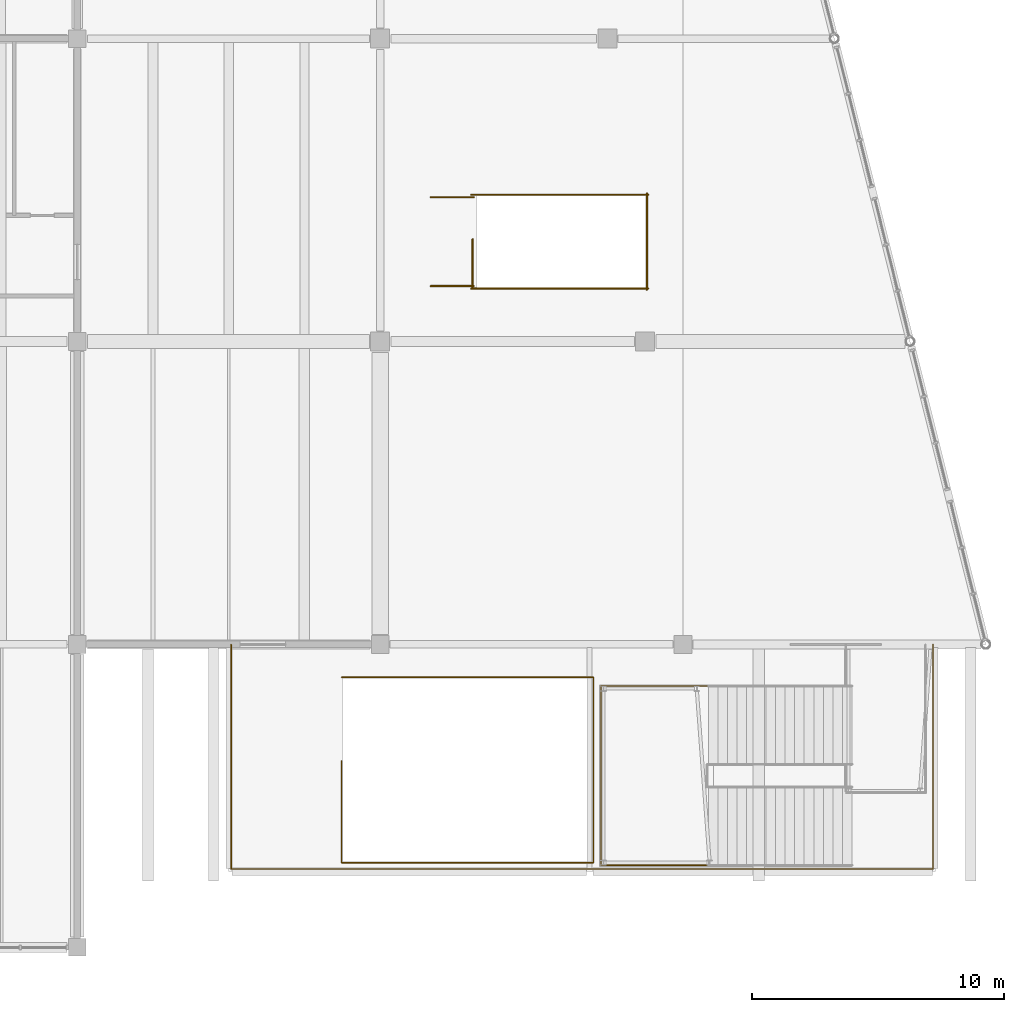
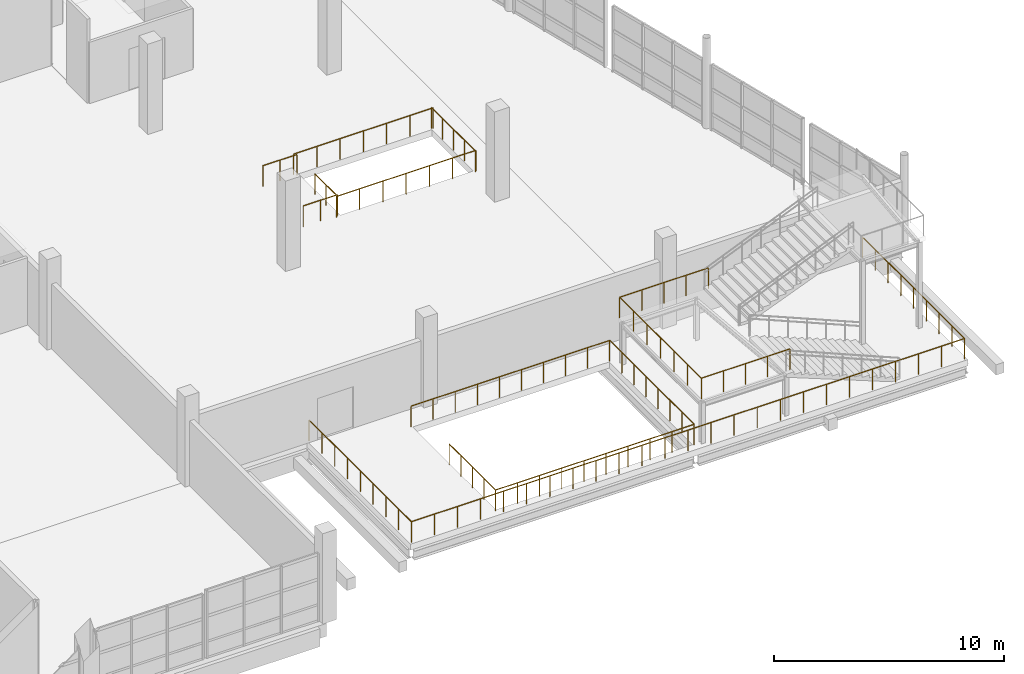
# One storey, part 102 of 112: 9 railings.
"""IFC4 building model written with IfcOpenShell, lengths in metres."""

from ifc_helpers import new_model, si_unit, direction, frame, origin, origin_2d, place, context, subcontext, project, spatial, circle, extrude, material, type_object, element, save


model = new_model("IFC4")

# Units and contexts
model_context = context("Model", 3, precision=1e-05, world=origin(), true_north=direction((0.0, 1.0)))
body_context = subcontext(model_context, "Body", "Model", "MODEL_VIEW")
ifc_project = project(units=[si_unit("LENGTHUNIT", "METRE"), si_unit("AREAUNIT", "SQUARE_METRE"), si_unit("VOLUMEUNIT", "CUBIC_METRE"), si_unit("PLANEANGLEUNIT", "RADIAN"), si_unit("MASSUNIT", "GRAM", prefix="KILO")], contexts=[model_context])

# Site, building, storey
site_placement = place(None, origin())
site = spatial("IfcSite", under=ifc_project, at=site_placement, CompositionType="ELEMENT")
building_placement = place(site_placement, origin())
building = spatial("IfcBuilding", under=site, at=building_placement, Name="Kamomehara Wholesale Market", CompositionType="ELEMENT")
storey_placement = place(building_placement, frame((0.0, 0.0, 6.60009765625)))
storey = spatial("IfcBuildingStorey", under=building, at=storey_placement, Name="L01", CompositionType="ELEMENT", Elevation=6.60009765625)

# Railings
ifc_material_1 = material(Name="Steel SN400B", Category="steel")
railing_type_1 = type_object("IfcRailingType", Name="RAL-EXT-1100", PredefinedType="BALUSTRADE", material=ifc_material_1)
railing_1_placement = place(storey_placement, frame((174.10009765625, 24.0, 0.0)))
element("IfcRailing", 1, at=railing_1_placement, inside=storey, type_object=railing_type_1, Name="Terrace guard OSLB-L01-STAIR-TER 3", PredefinedType="BALUSTRADE", context=body_context, shape_type="SweptSolid", body=[
    extrude(circle(Radius=0.02392578125, at=origin_2d()), frame((0.0, 0.0, 1.09619140625), z_axis=(0.0, -1.0, 0.0), x_axis=(1.0, 0.0, 0.0)), (0.0, 0.0, 1.0), 8.89990234375),
    extrude(circle(Radius=0.02392578125, at=origin_2d()), frame((0.0, -8.89990234375, 1.09619140625), z_axis=(1.0, 0.0, 0.0), x_axis=(0.0, 1.0, 0.0)), (0.0, 0.0, 1.0), 27.7998046875),
    extrude(circle(Radius=0.02392578125, at=origin_2d()), frame((27.7998046875, -8.89990234375, 1.09619140625), z_axis=(0.0, 1.0, 0.0), x_axis=(-1.0, 0.0, 0.0)), (0.0, 0.0, 1.0), 8.89990234375),
    extrude(circle(Radius=0.02099609375, at=origin_2d()), origin(), (0.0, 0.0, 1.0), 1.072021484375),
    extrude(circle(Radius=0.02099609375, at=origin_2d()), frame((0.0, -1.112548828125, 0.0)), (0.0, 0.0, 1.0), 1.072021484375),
    extrude(circle(Radius=0.02099609375, at=origin_2d()), frame((0.0, -2.22509765625, 0.0)), (0.0, 0.0, 1.0), 1.072021484375),
    extrude(circle(Radius=0.02099609375, at=origin_2d()), frame((0.0, -3.33740234375, 0.0)), (0.0, 0.0, 1.0), 1.072021484375),
    extrude(circle(Radius=0.02099609375, at=origin_2d()), frame((0.0, -4.449951171875, 0.0)), (0.0, 0.0, 1.0), 1.072021484375),
    extrude(circle(Radius=0.02099609375, at=origin_2d()), frame((0.0, -5.5625, 0.0)), (0.0, 0.0, 1.0), 1.072021484375),
    extrude(circle(Radius=0.02099609375, at=origin_2d()), frame((0.0, -6.6748046875, 0.0)), (0.0, 0.0, 1.0), 1.072021484375),
    extrude(circle(Radius=0.02099609375, at=origin_2d()), frame((0.0, -7.787353515625, 0.0)), (0.0, 0.0, 1.0), 1.072021484375),
    extrude(circle(Radius=0.02099609375, at=origin_2d()), frame((0.0, -8.89990234375, 0.0)), (0.0, 0.0, 1.0), 1.072021484375),
    extrude(circle(Radius=0.02099609375, at=origin_2d()), frame((1.158203125, -8.89990234375, 0.0)), (0.0, 0.0, 1.0), 1.072021484375),
    extrude(circle(Radius=0.02099609375, at=origin_2d()), frame((2.316650390625, -8.89990234375, 0.0)), (0.0, 0.0, 1.0), 1.072021484375),
    extrude(circle(Radius=0.02099609375, at=origin_2d()), frame((3.47509765625, -8.89990234375, 0.0)), (0.0, 0.0, 1.0), 1.072021484375),
    extrude(circle(Radius=0.02099609375, at=origin_2d()), frame((4.63330078125, -8.89990234375, 0.0)), (0.0, 0.0, 1.0), 1.072021484375),
    extrude(circle(Radius=0.02099609375, at=origin_2d()), frame((5.79150390625, -8.89990234375, 0.0)), (0.0, 0.0, 1.0), 1.072021484375),
    extrude(circle(Radius=0.02099609375, at=origin_2d()), frame((6.949951171875, -8.89990234375, 0.0)), (0.0, 0.0, 1.0), 1.072021484375),
    extrude(circle(Radius=0.02099609375, at=origin_2d()), frame((8.1083984375, -8.89990234375, 0.0)), (0.0, 0.0, 1.0), 1.072021484375),
    extrude(circle(Radius=0.02099609375, at=origin_2d()), frame((9.2666015625, -8.89990234375, 0.0)), (0.0, 0.0, 1.0), 1.072021484375),
    extrude(circle(Radius=0.02099609375, at=origin_2d()), frame((10.4248046875, -8.89990234375, 0.0)), (0.0, 0.0, 1.0), 1.072021484375),
    extrude(circle(Radius=0.02099609375, at=origin_2d()), frame((11.583251953125, -8.89990234375, 0.0)), (0.0, 0.0, 1.0), 1.072021484375),
    extrude(circle(Radius=0.02099609375, at=origin_2d()), frame((12.74169921875, -8.89990234375, 0.0)), (0.0, 0.0, 1.0), 1.072021484375),
    extrude(circle(Radius=0.02099609375, at=origin_2d()), frame((13.89990234375, -8.89990234375, 0.0)), (0.0, 0.0, 1.0), 1.072021484375),
    extrude(circle(Radius=0.02099609375, at=origin_2d()), frame((15.05810546875, -8.89990234375, 0.0)), (0.0, 0.0, 1.0), 1.072021484375),
    extrude(circle(Radius=0.02099609375, at=origin_2d()), frame((16.216552734375, -8.89990234375, 0.0)), (0.0, 0.0, 1.0), 1.072021484375),
    extrude(circle(Radius=0.02099609375, at=origin_2d()), frame((17.375, -8.89990234375, 0.0)), (0.0, 0.0, 1.0), 1.072021484375),
    extrude(circle(Radius=0.02099609375, at=origin_2d()), frame((18.533203125, -8.89990234375, 0.0)), (0.0, 0.0, 1.0), 1.072021484375),
    extrude(circle(Radius=0.02099609375, at=origin_2d()), frame((19.69140625, -8.89990234375, 0.0)), (0.0, 0.0, 1.0), 1.072021484375),
    extrude(circle(Radius=0.02099609375, at=origin_2d()), frame((20.849853515625, -8.89990234375, 0.0)), (0.0, 0.0, 1.0), 1.072021484375),
    extrude(circle(Radius=0.02099609375, at=origin_2d()), frame((22.00830078125, -8.89990234375, 0.0)), (0.0, 0.0, 1.0), 1.072021484375),
    extrude(circle(Radius=0.02099609375, at=origin_2d()), frame((23.16650390625, -8.89990234375, 0.0)), (0.0, 0.0, 1.0), 1.072021484375),
    extrude(circle(Radius=0.02099609375, at=origin_2d()), frame((24.32470703125, -8.89990234375, 0.0)), (0.0, 0.0, 1.0), 1.072021484375),
    extrude(circle(Radius=0.02099609375, at=origin_2d()), frame((25.483154296875, -8.89990234375, 0.0)), (0.0, 0.0, 1.0), 1.072021484375),
    extrude(circle(Radius=0.02099609375, at=origin_2d()), frame((26.6416015625, -8.89990234375, 0.0)), (0.0, 0.0, 1.0), 1.072021484375),
    extrude(circle(Radius=0.02099609375, at=origin_2d()), frame((27.7998046875, -8.89990234375, 0.0)), (0.0, 0.0, 1.0), 1.072021484375),
    extrude(circle(Radius=0.02099609375, at=origin_2d()), frame((27.7998046875, -7.787353515625, 0.0)), (0.0, 0.0, 1.0), 1.072021484375),
    extrude(circle(Radius=0.02099609375, at=origin_2d()), frame((27.7998046875, -6.6748046875, 0.0)), (0.0, 0.0, 1.0), 1.072021484375),
    extrude(circle(Radius=0.02099609375, at=origin_2d()), frame((27.7998046875, -5.5625, 0.0)), (0.0, 0.0, 1.0), 1.072021484375),
    extrude(circle(Radius=0.02099609375, at=origin_2d()), frame((27.7998046875, -4.449951171875, 0.0)), (0.0, 0.0, 1.0), 1.072021484375),
    extrude(circle(Radius=0.02099609375, at=origin_2d()), frame((27.7998046875, -3.33740234375, 0.0)), (0.0, 0.0, 1.0), 1.072021484375),
    extrude(circle(Radius=0.02099609375, at=origin_2d()), frame((27.7998046875, -2.22509765625, 0.0)), (0.0, 0.0, 1.0), 1.072021484375),
    extrude(circle(Radius=0.02099609375, at=origin_2d()), frame((27.7998046875, -1.112548828125, 0.0)), (0.0, 0.0, 1.0), 1.072021484375),
    extrude(circle(Radius=0.02099609375, at=origin_2d()), frame((27.7998046875, 0.0, 0.0)), (0.0, 0.0, 1.0), 1.072021484375),
])
railing_2_placement = place(storey_placement, frame((178.469970703125, 19.3798828125, 0.0)))
element("IfcRailing", 2, at=railing_2_placement, inside=storey, type_object=railing_type_1, Name="Terrace guard OSLB-L01-STAIR-TER 4", PredefinedType="BALUSTRADE", context=body_context, shape_type="SweptSolid", body=[
    extrude(circle(Radius=0.02392578125, at=origin_2d()), frame((0.0, 0.0, 1.09619140625), z_axis=(0.0, -1.0, 0.0), x_axis=(1.0, 0.0, 0.0)), (0.0, 0.0, 1.0), 4.02978515625),
    extrude(circle(Radius=0.02392578125, at=origin_2d()), frame((0.0, -4.02978515625, 1.09619140625), z_axis=(1.0, 0.0, 0.0), x_axis=(0.0, 1.0, 0.0)), (0.0, 0.0, 1.0), 9.97998046875),
    extrude(circle(Radius=0.02392578125, at=origin_2d()), frame((9.97998046875, -4.02978515625, 1.09619140625), z_axis=(0.0, 1.0, 0.0), x_axis=(-1.0, 0.0, 0.0)), (0.0, 0.0, 1.0), 7.349853515625),
    extrude(circle(Radius=0.02392578125, at=origin_2d()), frame((9.97998046875, 3.320068359375, 1.09619140625), z_axis=(-1.0, 0.0, 0.0), x_axis=(0.0, -1.0, 0.0)), (0.0, 0.0, 1.0), 9.97998046875),
    extrude(circle(Radius=0.02099609375, at=origin_2d()), origin(), (0.0, 0.0, 1.0), 1.072021484375),
    extrude(circle(Radius=0.02099609375, at=origin_2d()), frame((0.0, -1.00732421875, 0.0)), (0.0, 0.0, 1.0), 1.072021484375),
    extrude(circle(Radius=0.02099609375, at=origin_2d()), frame((0.0, -2.014892578125, 0.0)), (0.0, 0.0, 1.0), 1.072021484375),
    extrude(circle(Radius=0.02099609375, at=origin_2d()), frame((0.0, -3.0224609375, 0.0)), (0.0, 0.0, 1.0), 1.072021484375),
    extrude(circle(Radius=0.02099609375, at=origin_2d()), frame((0.0, -4.02978515625, 0.0)), (0.0, 0.0, 1.0), 1.072021484375),
    extrude(circle(Radius=0.02099609375, at=origin_2d()), frame((1.10888671875, -4.02978515625, 0.0)), (0.0, 0.0, 1.0), 1.072021484375),
    extrude(circle(Radius=0.02099609375, at=origin_2d()), frame((2.2177734375, -4.02978515625, 0.0)), (0.0, 0.0, 1.0), 1.072021484375),
    extrude(circle(Radius=0.02099609375, at=origin_2d()), frame((3.32666015625, -4.02978515625, 0.0)), (0.0, 0.0, 1.0), 1.072021484375),
    extrude(circle(Radius=0.02099609375, at=origin_2d()), frame((4.435546875, -4.02978515625, 0.0)), (0.0, 0.0, 1.0), 1.072021484375),
    extrude(circle(Radius=0.02099609375, at=origin_2d()), frame((5.54443359375, -4.02978515625, 0.0)), (0.0, 0.0, 1.0), 1.072021484375),
    extrude(circle(Radius=0.02099609375, at=origin_2d()), frame((6.6533203125, -4.02978515625, 0.0)), (0.0, 0.0, 1.0), 1.072021484375),
    extrude(circle(Radius=0.02099609375, at=origin_2d()), frame((7.76220703125, -4.02978515625, 0.0)), (0.0, 0.0, 1.0), 1.072021484375),
    extrude(circle(Radius=0.02099609375, at=origin_2d()), frame((8.87109375, -4.02978515625, 0.0)), (0.0, 0.0, 1.0), 1.072021484375),
    extrude(circle(Radius=0.02099609375, at=origin_2d()), frame((9.97998046875, -4.02978515625, 0.0)), (0.0, 0.0, 1.0), 1.072021484375),
    extrude(circle(Radius=0.02099609375, at=origin_2d()), frame((9.97998046875, -2.979736328125, 0.0)), (0.0, 0.0, 1.0), 1.072021484375),
    extrude(circle(Radius=0.02099609375, at=origin_2d()), frame((9.97998046875, -1.929931640625, 0.0)), (0.0, 0.0, 1.0), 1.072021484375),
    extrude(circle(Radius=0.02099609375, at=origin_2d()), frame((9.97998046875, -0.8798828125, 0.0)), (0.0, 0.0, 1.0), 1.072021484375),
    extrude(circle(Radius=0.02099609375, at=origin_2d()), frame((9.97998046875, 0.170166015625, 0.0)), (0.0, 0.0, 1.0), 1.072021484375),
    extrude(circle(Radius=0.02099609375, at=origin_2d()), frame((9.97998046875, 1.22021484375, 0.0)), (0.0, 0.0, 1.0), 1.072021484375),
    extrude(circle(Radius=0.02099609375, at=origin_2d()), frame((9.97998046875, 2.27001953125, 0.0)), (0.0, 0.0, 1.0), 1.072021484375),
    extrude(circle(Radius=0.02099609375, at=origin_2d()), frame((9.97998046875, 3.320068359375, 0.0)), (0.0, 0.0, 1.0), 1.072021484375),
    extrude(circle(Radius=0.02099609375, at=origin_2d()), frame((8.87109375, 3.320068359375, 0.0)), (0.0, 0.0, 1.0), 1.072021484375),
    extrude(circle(Radius=0.02099609375, at=origin_2d()), frame((7.76220703125, 3.320068359375, 0.0)), (0.0, 0.0, 1.0), 1.072021484375),
    extrude(circle(Radius=0.02099609375, at=origin_2d()), frame((6.6533203125, 3.320068359375, 0.0)), (0.0, 0.0, 1.0), 1.072021484375),
    extrude(circle(Radius=0.02099609375, at=origin_2d()), frame((5.54443359375, 3.320068359375, 0.0)), (0.0, 0.0, 1.0), 1.072021484375),
    extrude(circle(Radius=0.02099609375, at=origin_2d()), frame((4.435546875, 3.320068359375, 0.0)), (0.0, 0.0, 1.0), 1.072021484375),
    extrude(circle(Radius=0.02099609375, at=origin_2d()), frame((3.32666015625, 3.320068359375, 0.0)), (0.0, 0.0, 1.0), 1.072021484375),
    extrude(circle(Radius=0.02099609375, at=origin_2d()), frame((2.2177734375, 3.320068359375, 0.0)), (0.0, 0.0, 1.0), 1.072021484375),
    extrude(circle(Radius=0.02099609375, at=origin_2d()), frame((1.10888671875, 3.320068359375, 0.0)), (0.0, 0.0, 1.0), 1.072021484375),
    extrude(circle(Radius=0.02099609375, at=origin_2d()), frame((0.0, 3.320068359375, 0.0)), (0.0, 0.0, 1.0), 1.072021484375),
])
railing_3_placement = place(storey_placement, frame((193.199951171875, 15.25, 2.39990234375)))
element("IfcRailing", 3, at=railing_3_placement, inside=storey, type_object=railing_type_1, Name="ST-20 half-landing guard", PredefinedType="BALUSTRADE", context=body_context, shape_type="SweptSolid", body=[
    extrude(circle(Radius=0.02392578125, at=origin_2d()), frame((0.0, 0.0, 1.09619140625), z_axis=(-1.0, 0.0, 0.0), x_axis=(0.0, -1.0, 0.0)), (0.0, 0.0, 1.0), 4.449951171875),
    extrude(circle(Radius=0.02392578125, at=origin_2d()), frame((-4.449951171875, 0.0, 1.09619140625), z_axis=(0.0, 1.0, 0.0), x_axis=(-1.0, 0.0, 0.0)), (0.0, 0.0, 1.0), 7.10009765625),
    extrude(circle(Radius=0.02392578125, at=origin_2d()), frame((-4.449951171875, 7.10009765625, 1.09619140625), z_axis=(1.0, 0.0, 0.0), x_axis=(0.0, 1.0, 0.0)), (0.0, 0.0, 1.0), 4.449951171875),
    extrude(circle(Radius=0.02099609375, at=origin_2d()), origin(), (0.0, 0.0, 1.0), 1.072021484375),
    extrude(circle(Radius=0.02099609375, at=origin_2d()), frame((-1.112548828125, 0.0, 0.0)), (0.0, 0.0, 1.0), 1.072021484375),
    extrude(circle(Radius=0.02099609375, at=origin_2d()), frame((-2.22509765625, 0.0, 0.0)), (0.0, 0.0, 1.0), 1.072021484375),
    extrude(circle(Radius=0.02099609375, at=origin_2d()), frame((-3.33740234375, 0.0, 0.0)), (0.0, 0.0, 1.0), 1.072021484375),
    extrude(circle(Radius=0.02099609375, at=origin_2d()), frame((-4.449951171875, 0.0, 0.0)), (0.0, 0.0, 1.0), 1.072021484375),
    extrude(circle(Radius=0.02099609375, at=origin_2d()), frame((-4.449951171875, 1.183349609375, 0.0)), (0.0, 0.0, 1.0), 1.072021484375),
    extrude(circle(Radius=0.02099609375, at=origin_2d()), frame((-4.449951171875, 2.36669921875, 0.0)), (0.0, 0.0, 1.0), 1.072021484375),
    extrude(circle(Radius=0.02099609375, at=origin_2d()), frame((-4.449951171875, 3.550048828125, 0.0)), (0.0, 0.0, 1.0), 1.072021484375),
    extrude(circle(Radius=0.02099609375, at=origin_2d()), frame((-4.449951171875, 4.7333984375, 0.0)), (0.0, 0.0, 1.0), 1.072021484375),
    extrude(circle(Radius=0.02099609375, at=origin_2d()), frame((-4.449951171875, 5.916748046875, 0.0)), (0.0, 0.0, 1.0), 1.072021484375),
    extrude(circle(Radius=0.02099609375, at=origin_2d()), frame((-4.449951171875, 7.10009765625, 0.0)), (0.0, 0.0, 1.0), 1.072021484375),
    extrude(circle(Radius=0.02099609375, at=origin_2d()), frame((-3.33740234375, 7.10009765625, 0.0)), (0.0, 0.0, 1.0), 1.072021484375),
    extrude(circle(Radius=0.02099609375, at=origin_2d()), frame((-2.22509765625, 7.10009765625, 0.0)), (0.0, 0.0, 1.0), 1.072021484375),
    extrude(circle(Radius=0.02099609375, at=origin_2d()), frame((-1.112548828125, 7.10009765625, 0.0)), (0.0, 0.0, 1.0), 1.072021484375),
    extrude(circle(Radius=0.02099609375, at=origin_2d()), frame((0.0, 7.10009765625, 0.0)), (0.0, 0.0, 1.0), 1.072021484375),
])
ifc_material_2 = material(Name="Steel SN400B", Category="steel")
railing_type_2 = type_object("IfcRailingType", Name="RAL-INT-1100", PredefinedType="BALUSTRADE", material=ifc_material_2)
railing_4_placement = place(storey_placement, frame((183.659912109375, 38.14990234375, 0.0)))
element("IfcRailing", 4, at=railing_4_placement, inside=storey, type_object=railing_type_2, Name="L01 ST-18 top well guard 1", PredefinedType="BALUSTRADE", context=body_context, shape_type="SweptSolid", body=[
    extrude(circle(Radius=0.02392578125, at=origin_2d()), frame((0.0, 0.0, 1.09619140625), z_axis=(0.0, 1.0, 0.0), x_axis=(-1.0, 0.0, 0.0)), (0.0, 0.0, 1.0), 1.91015625),
    extrude(circle(Radius=0.02099609375, at=origin_2d()), origin(), (0.0, 0.0, 1.0), 1.072021484375),
    extrude(circle(Radius=0.02099609375, at=origin_2d()), frame((0.0, 0.955078125, 0.0)), (0.0, 0.0, 1.0), 1.072021484375),
    extrude(circle(Radius=0.02099609375, at=origin_2d()), frame((0.0, 1.91015625, 0.0)), (0.0, 0.0, 1.0), 1.072021484375),
])
for number, where, name in (
    (5, (183.610107421875, 38.10009765625, 0.0), "L01 ST-18 top well guard 2"),
    (6, (183.610107421875, 41.820068359375, 0.0), "L01 ST-18 top well guard 3"),
):
    element("IfcRailing", number, at=place(storey_placement, frame(where)), inside=storey, type_object=railing_type_2, Name=name, PredefinedType="BALUSTRADE", context=body_context, shape_type="SweptSolid", body=[
        extrude(circle(Radius=0.02392578125, at=origin_2d()), frame((0.0, 0.0, 1.09619140625), z_axis=(1.0, 0.0, 0.0), x_axis=(0.0, 1.0, 0.0)), (0.0, 0.0, 1.0), 7.010009765625),
        extrude(circle(Radius=0.02099609375, at=origin_2d()), origin(), (0.0, 0.0, 1.0), 1.072021484375),
        extrude(circle(Radius=0.02099609375, at=origin_2d()), frame((1.16845703125, 0.0, 0.0)), (0.0, 0.0, 1.0), 1.072021484375),
        extrude(circle(Radius=0.02099609375, at=origin_2d()), frame((2.336669921875, 0.0, 0.0)), (0.0, 0.0, 1.0), 1.072021484375),
        extrude(circle(Radius=0.02099609375, at=origin_2d()), frame((3.5048828125, 0.0, 0.0)), (0.0, 0.0, 1.0), 1.072021484375),
        extrude(circle(Radius=0.02099609375, at=origin_2d()), frame((4.67333984375, 0.0, 0.0)), (0.0, 0.0, 1.0), 1.072021484375),
        extrude(circle(Radius=0.02099609375, at=origin_2d()), frame((5.841796875, 0.0, 0.0)), (0.0, 0.0, 1.0), 1.072021484375),
        extrude(circle(Radius=0.02099609375, at=origin_2d()), frame((7.010009765625, 0.0, 0.0)), (0.0, 0.0, 1.0), 1.072021484375),
    ])
railing_5_placement = place(storey_placement, frame((190.570068359375, 38.050048828125, 0.0)))
element("IfcRailing", 7, at=railing_5_placement, inside=storey, type_object=railing_type_2, Name="L01 ST-18 top well guard 4", PredefinedType="BALUSTRADE", context=body_context, shape_type="SweptSolid", body=[
    extrude(circle(Radius=0.02392578125, at=origin_2d()), frame((0.0, 0.0, 1.09619140625), z_axis=(0.0, 1.0, 0.0), x_axis=(-1.0, 0.0, 0.0)), (0.0, 0.0, 1.0), 3.820068359375),
    extrude(circle(Radius=0.02099609375, at=origin_2d()), origin(), (0.0, 0.0, 1.0), 1.072021484375),
    extrude(circle(Radius=0.02099609375, at=origin_2d()), frame((0.0, 0.955078125, 0.0)), (0.0, 0.0, 1.0), 1.072021484375),
    extrude(circle(Radius=0.02099609375, at=origin_2d()), frame((0.0, 1.91015625, 0.0)), (0.0, 0.0, 1.0), 1.072021484375),
    extrude(circle(Radius=0.02099609375, at=origin_2d()), frame((0.0, 2.864990234375, 0.0)), (0.0, 0.0, 1.0), 1.072021484375),
    extrude(circle(Radius=0.02099609375, at=origin_2d()), frame((0.0, 3.820068359375, 0.0)), (0.0, 0.0, 1.0), 1.072021484375),
])
for number, where, name in (
    (8, (182.0, 38.199951171875, 0.0), "L01 ST-18 top well guard 5"),
    (9, (182.0, 41.719970703125, 0.0), "L01 ST-18 top well guard 6"),
):
    element("IfcRailing", number, at=place(storey_placement, frame(where)), inside=storey, type_object=railing_type_2, Name=name, PredefinedType="BALUSTRADE", context=body_context, shape_type="SweptSolid", body=[
        extrude(circle(Radius=0.02392578125, at=origin_2d()), frame((0.0, 0.0, 1.09619140625), z_axis=(1.0, 0.0, 0.0), x_axis=(0.0, 1.0, 0.0)), (0.0, 0.0, 1.0), 1.7099609375),
        extrude(circle(Radius=0.02099609375, at=origin_2d()), origin(), (0.0, 0.0, 1.0), 1.072021484375),
        extrude(circle(Radius=0.02099609375, at=origin_2d()), frame((0.85498046875, 0.0, 0.0)), (0.0, 0.0, 1.0), 1.072021484375),
        extrude(circle(Radius=0.02099609375, at=origin_2d()), frame((1.7099609375, 0.0, 0.0)), (0.0, 0.0, 1.0), 1.072021484375),
    ])

save(model, "model.ifc")
